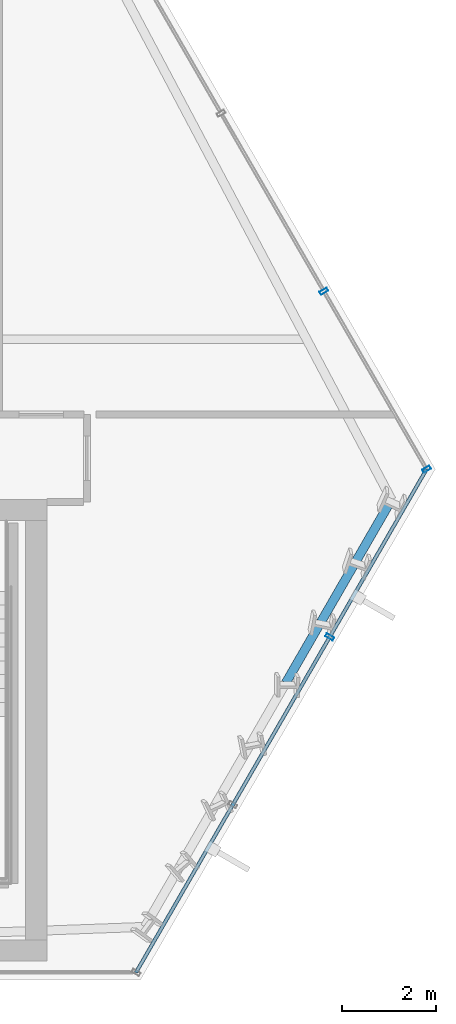
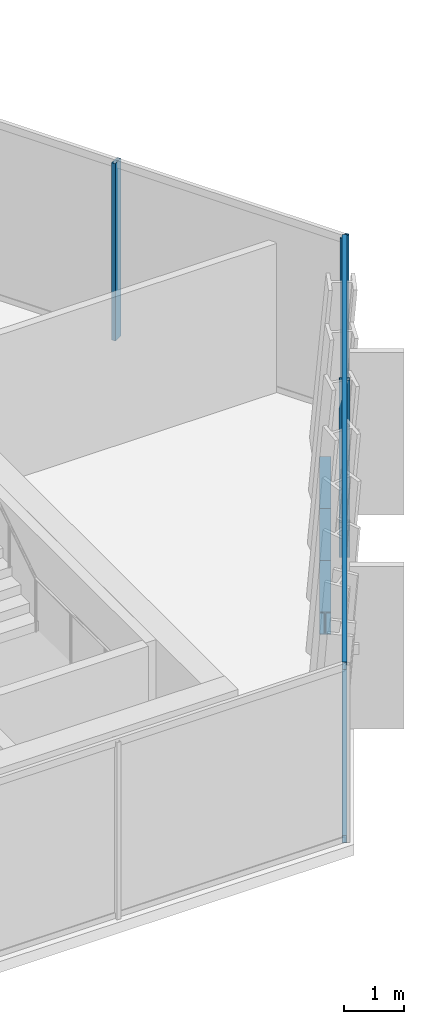
# One storey, part 16 of 32: 5 members, 3 beams, 2 elements without a shape of their own.
"""IFC4 building model written with IfcOpenShell, lengths in metres."""

from ifc_helpers import new_model, si_unit, direction, frame, origin, origin_2d, place, context, subcontext, project, spatial, hollow_rectangle, i_section, extrude, material, layer, layer_set, material_profile, profile_set, type_object, element, aggregate, save


model = new_model("IFC4")

# Units and contexts
model_context = context("Model", 3, precision=1e-05, world=origin(), true_north=direction((0.0, 1.0)))
body_context = subcontext(model_context, "Body", "Model", "MODEL_VIEW")
ifc_project = project(units=[si_unit("LENGTHUNIT", "METRE"), si_unit("AREAUNIT", "SQUARE_METRE"), si_unit("VOLUMEUNIT", "CUBIC_METRE"), si_unit("PLANEANGLEUNIT", "RADIAN"), si_unit("MASSUNIT", "GRAM", prefix="KILO")], contexts=[model_context])

# Site, building, storey
site_placement = place(None, origin())
site = spatial("IfcSite", under=ifc_project, at=site_placement, CompositionType="ELEMENT")
building_placement = place(site_placement, origin())
building = spatial("IfcBuilding", under=site, at=building_placement, Name="Ndaravel Arena Tower", CompositionType="ELEMENT")
storey_placement = place(building_placement, frame((0.0, 0.0, 134.60009765625)))
storey = spatial("IfcBuildingStorey", under=building, at=storey_placement, Name="L31", CompositionType="ELEMENT", Elevation=134.60009765625)

# Beams
ifc_material_1 = material(Name="Steel S355", Category="steel")
ifc_material_profile_1 = material_profile(ifc_material_1, i_section(OverallWidth=0.18994140625, OverallDepth=0.449951171875, WebThickness=0.009521484375, FlangeThickness=0.0146484375, FilletRadius=0.02099609375, at=origin_2d()), Name="IPE 450")
ifc_profile_set_1 = profile_set([ifc_material_profile_1], Name="Steel S355")
beam_type = type_object("IfcBeamType", Name="BM-SPAN-IPE450", PredefinedType="SPANDREL", material=ifc_profile_set_1)
beam_1_placement = place(storey_placement, frame((62.624755859375, 11.30810546875, -0.445068359375), z_axis=(0.500019200167, 0.866014318279, 0.0), x_axis=(-0.866014318279, 0.500019200167, 0.0)))
element("IfcBeam", 1, at=beam_1_placement, inside=storey, type_object=beam_type, Name="L31 Perimeter Spandrel Beam SP-06", PredefinedType="SPANDREL", context=body_context, shape_type="SweptSolid", body=[
    extrude(i_section(OverallWidth=0.18994140625, OverallDepth=0.449951171875, WebThickness=0.009521484375, FlangeThickness=0.0146484375, FilletRadius=0.02099609375, at=origin_2d()), origin(), (0.0, 0.0, 1.0), 1.49560546875),
])
beam_2_placement = place(storey_placement, frame((63.37255859375, 12.603271484375, -0.445068359375), z_axis=(0.499896754619, 0.866085004328, 0.0), x_axis=(-0.866085004328, 0.499896754619, 0.0)))
element("IfcBeam", 2, at=beam_2_placement, inside=storey, type_object=beam_type, Name="L31 Perimeter Spandrel Beam SP-07", PredefinedType="SPANDREL", context=body_context, shape_type="SweptSolid", body=[
    extrude(i_section(OverallWidth=0.18994140625, OverallDepth=0.449951171875, WebThickness=0.009521484375, FlangeThickness=0.0146484375, FilletRadius=0.02099609375, at=origin_2d()), origin(), (0.0, 0.0, 1.0), 1.495361328125),
])
beam_3_placement = place(storey_placement, frame((64.1201171875, 13.8984375, -0.445068359375), z_axis=(0.500019200167, 0.866014318279, 0.0), x_axis=(-0.866014318279, 0.500019200167, 0.0)))
element("IfcBeam", 3, at=beam_3_placement, inside=storey, type_object=beam_type, Name="L31 Perimeter Spandrel Beam SP-08", PredefinedType="SPANDREL", context=body_context, shape_type="SweptSolid", body=[
    extrude(i_section(OverallWidth=0.18994140625, OverallDepth=0.449951171875, WebThickness=0.009521484375, FlangeThickness=0.0146484375, FilletRadius=0.02099609375, at=origin_2d()), origin(), (0.0, 0.0, 1.0), 1.49560546875),
])

# Curtain wall, member
ifc_material_2 = material(Name="Aluminium", Category="aluminium")
ifc_layer_1 = layer(ifc_material_2, 0.179931640625)
ifc_layer_set_1 = layer_set([ifc_layer_1], Name="Aluminium")
curtain_wall_type_1 = type_object("IfcCurtainWallType", Name="CW-SYS-01", PredefinedType="NOTDEFINED", material=ifc_layer_set_1)
curtain_wall_1_placement = place(storey_placement, origin())
curtain_wall_1 = element("IfcCurtainWall", 4, at=curtain_wall_1_placement, inside=storey, type_object=curtain_wall_type_1, Name="L31 Faceted Crystal Curtain Wall CW-L31-E02", PredefinedType="NOTDEFINED")
ifc_material_3 = material(Name="Aluminium", Category="aluminium")
ifc_material_profile_2 = material_profile(ifc_material_3, hollow_rectangle(XDim=0.074951171875, YDim=0.179931640625, WallThickness=0.00390625, at=origin_2d()), Name="CW MULLION 75x180x4")
ifc_profile_set_2 = profile_set([ifc_material_profile_2], Name="Aluminium")
member_type_1 = type_object("IfcMemberType", Name="MEM-CW-MUL180", PredefinedType="MULLION", material=ifc_profile_set_2)
member_1_placement = place(storey_placement, frame((63.5556640625, 12.28076171875, 0.0), z_axis=(0.0, 0.0, 1.0), x_axis=(0.5, 0.866025403784, 0.0)))
member_1 = element("IfcMember", 5, at=member_1_placement, type_object=member_type_1, Name="CW-L31-E02 Mullion 02", PredefinedType="MULLION", context=body_context, shape_type="SweptSolid", body=[
    extrude(hollow_rectangle(XDim=0.074951171875, YDim=0.179931640625, WallThickness=0.00390625, at=origin_2d()), origin(), (0.0, 0.0, 1.0), 3.579833984375),
])

# Curtain wall, members
ifc_material_4 = material(Name="Aluminium", Category="aluminium")
ifc_layer_2 = layer(ifc_material_4, 0.179931640625)
ifc_layer_set_2 = layer_set([ifc_layer_2], Name="Aluminium")
curtain_wall_type_2 = type_object("IfcCurtainWallType", Name="CW-SYS-03", PredefinedType="NOTDEFINED", material=ifc_layer_set_2)
curtain_wall_2_placement = place(storey_placement, origin())
curtain_wall_2 = element("IfcCurtainWall", 6, at=curtain_wall_2_placement, inside=storey, type_object=curtain_wall_type_2, Name="L31 Faceted Crystal Curtain Wall CW-L31-E03", PredefinedType="NOTDEFINED")
member_2_placement = place(storey_placement, frame((65.611328125, 15.841064453125, 0.0), z_axis=(0.0, 0.0, 1.0), x_axis=(-0.5, 0.866025403784, 0.0)))
member_2 = element("IfcMember", 7, at=member_2_placement, type_object=member_type_1, Name="CW-L31-E03 Mullion 00", PredefinedType="MULLION", context=body_context, shape_type="SweptSolid", body=[
    extrude(hollow_rectangle(XDim=0.074951171875, YDim=0.179931640625, WallThickness=0.00390625, at=origin_2d()), origin(), (0.0, 0.0, 1.0), 3.579833984375),
])
member_3_placement = place(storey_placement, frame((63.4306640625, 19.617919921875, 0.0), z_axis=(0.0, 0.0, 1.0), x_axis=(-0.5, 0.866025403784, 0.0)))
member_3 = element("IfcMember", 8, at=member_3_placement, type_object=member_type_1, Name="CW-L31-E03 Mullion 01", PredefinedType="MULLION", context=body_context, shape_type="SweptSolid", body=[
    extrude(hollow_rectangle(XDim=0.074951171875, YDim=0.179931640625, WallThickness=0.00390625, at=origin_2d()), origin(), (0.0, 0.0, 1.0), 3.579833984375),
])
aggregate(curtain_wall_2, [member_2, member_3])

# Member
ifc_material_5 = material(Name="Aluminium", Category="aluminium")
ifc_material_profile_3 = material_profile(ifc_material_5, hollow_rectangle(XDim=0.074951171875, YDim=0.14990234375, WallThickness=0.00390625, at=origin_2d()), Name="CW TRANSOM 75x150x4")
ifc_profile_set_3 = profile_set([ifc_material_profile_3], Name="Aluminium")
member_type_2 = type_object("IfcMemberType", Name="MEM-CW-TRN150", PredefinedType="USERDEFINED", material=ifc_profile_set_3)
member_4_placement = place(storey_placement, frame((59.444580078125, 5.159912109375, 0.039794921875), z_axis=(0.499998897271, 0.866026040445, 0.0), x_axis=(-0.866026040445, 0.499998897271, 0.0)))
member_4 = element("IfcMember", 9, at=member_4_placement, type_object=member_type_2, Name="CW-L31-E02 Transom 01", ObjectType="TRANSOM", PredefinedType="USERDEFINED", context=body_context, shape_type="SweptSolid", body=[
    extrude(hollow_rectangle(XDim=0.074951171875, YDim=0.14990234375, WallThickness=0.00390625, at=origin_2d()), origin(), (0.0, 0.0, 1.0), 12.33349609375),
])

member_5_placement = place(storey_placement, frame((59.444580078125, 5.159912109375, 3.539794921875), z_axis=(0.499998897271, 0.866026040445, 0.0), x_axis=(-0.866026040445, 0.499998897271, 0.0)))
member_5 = element("IfcMember", 10, at=member_5_placement, type_object=member_type_2, Name="CW-L31-E02 Transom 02", ObjectType="TRANSOM", PredefinedType="USERDEFINED", context=body_context, shape_type="SweptSolid", body=[
    extrude(hollow_rectangle(XDim=0.074951171875, YDim=0.14990234375, WallThickness=0.00390625, at=origin_2d()), origin(), (0.0, 0.0, 1.0), 12.33349609375),
])

aggregate(curtain_wall_1, [member_1, member_4, member_5])

save(model, "model.ifc")
